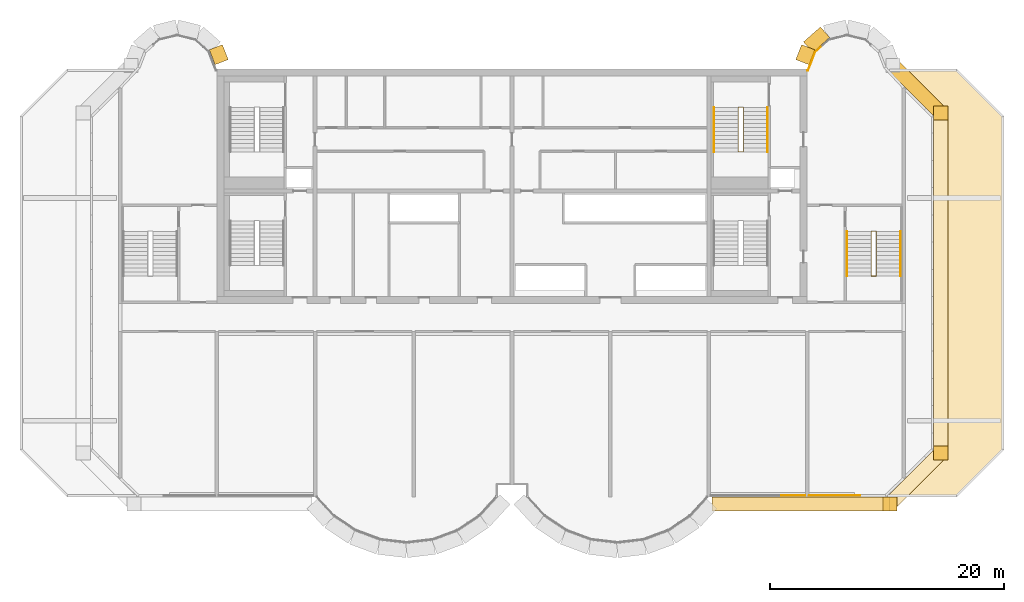
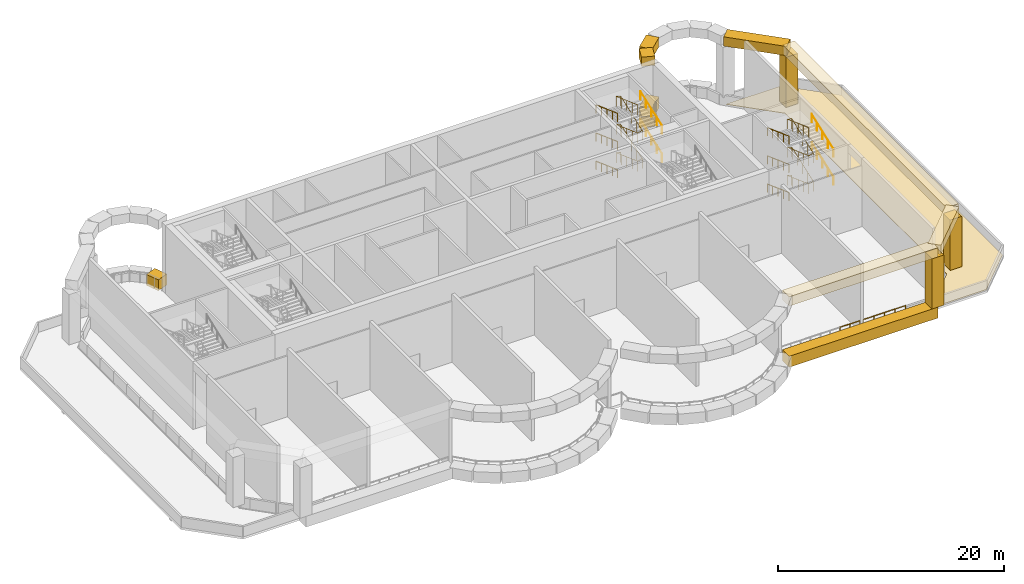
# One storey, part 10 of 11: 16 railings, 14 coverings.
"""IFC4 building model written with IfcOpenShell, lengths in metres."""

from ifc_helpers import new_model, si_unit, direction, frame, origin, origin_2d, place, context, subcontext, project, spatial, polyline, rectangle, circle, outline, extrude, source, transform, mapped, material, layer, layer_set, type_object, element, save


model = new_model("IFC4")

# Units and contexts
model_context = context("Model", 3, precision=1e-05, world=origin(), true_north=direction((0.0, 1.0)))
body_context = subcontext(model_context, "Body", "Model", "MODEL_VIEW")
ifc_project = project(units=[si_unit("LENGTHUNIT", "METRE"), si_unit("AREAUNIT", "SQUARE_METRE"), si_unit("VOLUMEUNIT", "CUBIC_METRE"), si_unit("PLANEANGLEUNIT", "RADIAN"), si_unit("MASSUNIT", "GRAM", prefix="KILO")], contexts=[model_context])

# Site, building, storey
site_placement = place(None, origin())
site = spatial("IfcSite", under=ifc_project, at=site_placement, CompositionType="ELEMENT")
building_placement = place(site_placement, origin())
building = spatial("IfcBuilding", under=site, at=building_placement, Name="Vanashikhar Sky Hotel", CompositionType="ELEMENT")
storey_placement = place(building_placement, frame((0.0, 0.0, 206.39990234375)))
storey = spatial("IfcBuildingStorey", under=building, at=storey_placement, Name="L50", CompositionType="ELEMENT", Elevation=206.39990234375)

# Railings
ifc_material_1 = material(Name="Stainless steel 316", Category="steel")
railing_type_1 = type_object("IfcRailingType", Name="Open edge guard 1200", PredefinedType="GUARDRAIL", material=ifc_material_1)
shared_shape_1 = source(origin(), body_context, "Body", "SweptSolid", [
    extrude(circle(Radius=0.02392578125, at=origin_2d()), frame((0.0, 0.0, 1.17578125), z_axis=(-1.0, 0.0, 0.0), x_axis=(0.0, -1.0, 0.0)), (0.0, 0.0, 1.0), 2.17041015625),
    extrude(circle(Radius=0.02099609375, at=origin_2d()), origin(), (0.0, 0.0, 1.0), 1.15185546875),
    extrude(circle(Radius=0.02099609375, at=origin_2d()), frame((-1.085205078125, 0.0, 0.0)), (0.0, 0.0, 1.0), 1.15185546875),
    extrude(circle(Radius=0.02099609375, at=origin_2d()), frame((-2.17041015625, 0.0, 0.0)), (0.0, 0.0, 1.0), 1.15185546875),
])
for number, where, name in (
    (1, (80.11083984375, 5.60009765625, 0.0), "Open edge guard"),
    (2, (77.9404296875, 5.60009765625, 0.0), "Open edge guard"),
):
    element("IfcRailing", number, at=place(storey_placement, frame(where)), inside=storey, type_object=railing_type_1, Name=name, PredefinedType="GUARDRAIL", context=body_context, shape_type="MappedRepresentation", body=[
        mapped(shared_shape_1, transform((0.0, 0.0, 0.0), scale=1.0)),
    ])
shared_shape_2 = source(origin(), body_context, "Body", "SweptSolid", [
    extrude(circle(Radius=0.02392578125, at=origin_2d()), frame((0.0, 0.0, 1.17578125), z_axis=(-1.0, 0.0, 0.0), x_axis=(0.0, -1.0, 0.0)), (0.0, 0.0, 1.0), 2.014892578125),
    extrude(circle(Radius=0.02099609375, at=origin_2d()), origin(), (0.0, 0.0, 1.0), 1.15185546875),
    extrude(circle(Radius=0.02099609375, at=origin_2d()), frame((-1.00732421875, 0.0, 0.0)), (0.0, 0.0, 1.0), 1.15185546875),
    extrude(circle(Radius=0.02099609375, at=origin_2d()), frame((-2.014892578125, 0.0, 0.0)), (0.0, 0.0, 1.0), 1.15185546875),
])
railing_1_placement = place(storey_placement, frame((75.429931640625, 5.60009765625, 0.0)))
element("IfcRailing", 3, at=railing_1_placement, inside=storey, type_object=railing_type_1, Name="Open edge guard", PredefinedType="GUARDRAIL", context=body_context, shape_type="MappedRepresentation", body=[
    mapped(shared_shape_2, transform((0.0, 0.0, 0.0), scale=1.0)),
])
shared_shape_3 = source(origin(), body_context, "Body", "SweptSolid", [
    extrude(circle(Radius=0.02392578125, at=origin_2d()), frame((0.0, 0.0, 1.17578125), z_axis=(1.0, 0.0, 0.0), x_axis=(0.0, 1.0, 0.0)), (0.0, 0.0, 1.0), 0.048583984375),
    extrude(circle(Radius=0.02392578125, at=origin_2d()), frame((0.048583984375, 0.0, 1.17578125), z_axis=(0.357741668395, 0.933820592348, 0.0), x_axis=(-0.933820592348, 0.357741668395, 0.0)), (0.0, 0.0, 1.0), 1.679443359375),
    extrude(circle(Radius=0.02392578125, at=origin_2d()), frame((0.6494140625, 1.568359375, 1.17578125), z_axis=(0.749683064386, 0.661797025509, 0.0), x_axis=(-0.661797025509, 0.749683064386, 0.0)), (0.0, 0.0, 1.0), 0.64453125),
    extrude(circle(Radius=0.02099609375, at=origin_2d()), origin(), (0.0, 0.0, 1.0), 1.15185546875),
    extrude(circle(Radius=0.02099609375, at=origin_2d()), frame((0.048583984375, 0.0, 0.0)), (0.0, 0.0, 1.0), 1.15185546875),
    extrude(circle(Radius=0.02099609375, at=origin_2d()), frame((0.34912109375, 0.7841796875, 0.0)), (0.0, 0.0, 1.0), 1.15185546875),
    extrude(circle(Radius=0.02099609375, at=origin_2d()), frame((0.6494140625, 1.568359375, 0.0)), (0.0, 0.0, 1.0), 1.15185546875),
    extrude(circle(Radius=0.02099609375, at=origin_2d()), frame((1.132568359375, 1.994873046875, 0.0)), (0.0, 0.0, 1.0), 1.15185546875),
])
railing_2_placement = place(storey_placement, frame((75.6201171875, 41.89990234375, 0.0)))
element("IfcRailing", 4, at=railing_2_placement, inside=storey, type_object=railing_type_1, Name="Open edge guard", PredefinedType="GUARDRAIL", context=body_context, shape_type="MappedRepresentation", body=[
    mapped(shared_shape_3, transform((0.0, 0.0, 0.0), scale=1.0)),
])

# Coverings
ifc_material_2 = material(Name="Concrete M60 dark", Category="concrete")
covering_type_1 = type_object("IfcCoveringType", Name="Wind floor portal frame", PredefinedType="CLADDING", material=ifc_material_2)
shared_shape_4 = source(origin(), body_context, "Body", "SweptSolid", [
    extrude(rectangle(XDim=15.184326171875, YDim=1.199951171875, at=origin_2d()), origin(), (0.0, 0.0, 1.0), 1.0),
])
covering_1_placement = place(storey_placement, frame((75.056396484375, 4.89990234375, 6.320068359375), z_axis=(0.0, 0.0, 1.0), x_axis=(1.0, 0.0, 0.0)))
element("IfcCovering", 5, at=covering_1_placement, inside=storey, type_object=covering_type_1, Name="Portal frame head", PredefinedType="CLADDING", context=body_context, shape_type="MappedRepresentation", body=[
    mapped(shared_shape_4, transform((0.0, 0.0, 0.0), scale=1.0)),
])
shared_shape_5 = source(origin(), body_context, "Body", "SweptSolid", [
    extrude(rectangle(XDim=15.184326171875, YDim=1.199951171875, at=origin_2d()), origin(), (0.0, 0.0, 1.0), 1.179931640625),
])
covering_2_placement = place(storey_placement, frame((75.056396484375, 4.89990234375, -0.27978515625), z_axis=(0.0, 0.0, 1.0), x_axis=(1.0, 0.0, 0.0)))
element("IfcCovering", 6, at=covering_2_placement, inside=storey, type_object=covering_type_1, Name="Portal frame sill", PredefinedType="CLADDING", context=body_context, shape_type="MappedRepresentation", body=[
    mapped(shared_shape_5, transform((0.0, 0.0, 0.0), scale=1.0)),
])
shared_shape_6 = source(origin(), body_context, "Body", "SweptSolid", [
    extrude(rectangle(XDim=6.154052734375, YDim=1.199951171875, at=origin_2d()), origin(), (0.0, 0.0, 1.0), 1.0),
])
covering_3_placement = place(storey_placement, frame((84.82421875, 7.07568359375, 6.320068359375), z_axis=(0.0, 0.0, 1.0), x_axis=(0.707106781187, 0.707106781187, 0.0)))
element("IfcCovering", 7, at=covering_3_placement, inside=storey, type_object=covering_type_1, Name="Portal frame head", PredefinedType="CLADDING", context=body_context, shape_type="MappedRepresentation", body=[
    mapped(shared_shape_6, transform((0.0, 0.0, 0.0), scale=1.0)),
])
shared_shape_7 = source(origin(), body_context, "Body", "SweptSolid", [
    extrude(rectangle(XDim=28.9970703125, YDim=1.199951171875, at=origin_2d()), origin(), (0.0, 0.0, 1.0), 1.0),
])
covering_4_placement = place(storey_placement, frame((87.0, 23.75, 6.320068359375), z_axis=(0.0, 0.0, 1.0), x_axis=(0.0, 1.0, 0.0)))
element("IfcCovering", 8, at=covering_4_placement, inside=storey, type_object=covering_type_1, Name="Portal frame head", PredefinedType="CLADDING", context=body_context, shape_type="MappedRepresentation", body=[
    mapped(shared_shape_7, transform((0.0, 0.0, 0.0), scale=1.0)),
])
shared_shape_8 = source(origin(), body_context, "Body", "SweptSolid", [
    extrude(rectangle(XDim=5.777587890625, YDim=1.199951171875, at=origin_2d()), origin(), (0.0, 0.0, 1.0), 1.0),
])
covering_5_placement = place(storey_placement, frame((84.957275390625, 40.291259765625, 6.320068359375), z_axis=(0.0, 0.0, 1.0), x_axis=(-0.707106781187, 0.707106781187, 0.0)))
element("IfcCovering", 9, at=covering_5_placement, inside=storey, type_object=covering_type_1, Name="Portal frame head", PredefinedType="CLADDING", context=body_context, shape_type="MappedRepresentation", body=[
    mapped(shared_shape_8, transform((0.0, 0.0, 0.0), scale=1.0)),
])
shared_shape_9 = source(origin(), body_context, "Body", "SweptSolid", [
    extrude(rectangle(XDim=1.931640625, YDim=1.199951171875, at=origin_2d()), origin(), (0.0, 0.0, 1.0), 1.0),
])
covering_6_placement = place(storey_placement, frame((76.401611328125, 44.518310546875, 6.320068359375), z_axis=(0.0, 0.0, 1.0), x_axis=(-0.749741606437, -0.661730703214, 0.0)))
element("IfcCovering", 10, at=covering_6_placement, inside=storey, type_object=covering_type_1, Name="Portal frame head", PredefinedType="CLADDING", context=body_context, shape_type="MappedRepresentation", body=[
    mapped(shared_shape_9, transform((0.0, 0.0, 0.0), scale=1.0)),
])
shared_shape_10 = source(origin(), body_context, "Body", "SweptSolid", [
    extrude(rectangle(XDim=1.931640625, YDim=1.199951171875, at=origin_2d()), origin(), (0.0, 0.0, 1.0), 1.179931640625),
])
covering_7_placement = place(storey_placement, frame((76.401611328125, 44.518310546875, -0.27978515625), z_axis=(0.0, 0.0, 1.0), x_axis=(-0.749741606437, -0.661730703214, 0.0)))
element("IfcCovering", 11, at=covering_7_placement, inside=storey, type_object=covering_type_1, Name="Portal frame sill", PredefinedType="CLADDING", context=body_context, shape_type="MappedRepresentation", body=[
    mapped(shared_shape_10, transform((0.0, 0.0, 0.0), scale=1.0)),
])
shared_shape_11 = source(origin(), body_context, "Body", "SweptSolid", [
    extrude(rectangle(XDim=1.3701171875, YDim=1.199951171875, at=origin_2d()), origin(), (0.0, 0.0, 1.0), 1.0),
])
covering_8_placement = place(storey_placement, frame((75.432373046875, 43.239501953125, 6.320068359375), z_axis=(0.0, 0.0, 1.0), x_axis=(-0.357748696787, -0.933817899779, 0.0)))
element("IfcCovering", 12, at=covering_8_placement, inside=storey, type_object=covering_type_1, Name="Portal frame head", PredefinedType="CLADDING", context=body_context, shape_type="MappedRepresentation", body=[
    mapped(shared_shape_11, transform((0.0, 0.0, 0.0), scale=1.0)),
])
shared_shape_12 = source(origin(), body_context, "Body", "SweptSolid", [
    extrude(rectangle(XDim=1.3701171875, YDim=1.199951171875, at=origin_2d()), origin(), (0.0, 0.0, 1.0), 1.179931640625),
])
for number, where, z_axis, x_axis, name in (
    (13, (75.432373046875, 43.239501953125, -0.27978515625), (0.0, 0.0, 1.0), (-0.357748696787, -0.933817899779, 0.0), "Portal frame sill"),
    (14, (25.36767578125, 43.239501953125, -0.27978515625), (0.0, 0.0, 1.0), (-0.357748696787, 0.933817899779, 0.0), "Portal frame sill"),
):
    element("IfcCovering", number, at=place(storey_placement, frame(where, z_axis=z_axis, x_axis=x_axis)), inside=storey, type_object=covering_type_1, Name=name, PredefinedType="CLADDING", context=body_context, shape_type="MappedRepresentation", body=[
        mapped(shared_shape_12, transform((0.0, 0.0, 0.0), scale=1.0)),
    ])
shared_shape_13 = source(origin(), body_context, "Body", "SweptSolid", [
    extrude(rectangle(XDim=1.199951171875, YDim=1.199951171875, at=origin_2d()), origin(), (0.0, 0.0, 1.0), 5.419921875),
])
for number, where, z_axis, x_axis, name in (
    (15, (82.6484375, 4.89990234375, 0.900146484375), (0.0, 0.0, 1.0), (1.0, 0.0, 0.0), "Portal frame jamb"),
    (16, (87.0, 9.25146484375, 0.900146484375), (0.0, 0.0, 1.0), (1.0, 0.0, 0.0), "Portal frame jamb"),
    (17, (87.0, 38.24853515625, 0.900146484375), (0.0, 0.0, 1.0), (1.0, 0.0, 0.0), "Portal frame jamb"),
):
    element("IfcCovering", number, at=place(storey_placement, frame(where, z_axis=z_axis, x_axis=x_axis)), inside=storey, type_object=covering_type_1, Name=name, PredefinedType="CLADDING", context=body_context, shape_type="MappedRepresentation", body=[
        mapped(shared_shape_13, transform((0.0, 0.0, 0.0), scale=1.0)),
    ])
ifc_material_3 = material(Name="Paving stone", Category="masonry")
ifc_layer = layer(ifc_material_3, 0.050048828125)
ifc_layer_set = layer_set([ifc_layer], Name="Paving stone 50")
covering_type_2 = type_object("IfcCoveringType", Name="Paving stone 50", PredefinedType="FLOORING", material=ifc_layer_set)
shared_shape_14 = source(origin(), body_context, "Body", "SweptSolid", [
    extrude(outline(polyline([(82.694580078125, 41.8779296875), (88.349365234375, 41.8779296875), (92.278076171875, 37.94921875), (92.278076171875, 9.55078125), (88.349365234375, 5.6220703125), (82.694580078125, 5.6220703125), (86.52197265625, 9.44921875), (86.52197265625, 38.05078125), (82.694580078125, 41.8779296875)])), origin(), (0.0, 0.0, 1.0), 0.0498046875),
])
covering_9_placement = place(storey_placement, frame((0.0, 0.0, -0.0498046875)))
element("IfcCovering", 18, at=covering_9_placement, inside=storey, type_object=covering_type_2, Name="Terrace paving", PredefinedType="FLOORING", context=body_context, shape_type="MappedRepresentation", body=[
    mapped(shared_shape_14, transform((0.0, 0.0, 0.0), scale=1.0)),
])

# Railings
ifc_material_4 = material(Name="Steel S355", Category="steel")
railing_type_2 = type_object("IfcRailingType", Name="Stair handrail 900", PredefinedType="HANDRAIL", material=ifc_material_4)
shared_shape_15 = source(origin(), body_context, "Body", "SweptSolid", [
    extrude(circle(Radius=0.02392578125, at=origin_2d()), frame((0.0, 0.0, 0.8759765625), z_axis=(0.0, -0.938879565204, 0.344245787255), x_axis=(1.0, 0.0, 0.0)), (0.0, 0.0, 1.0), 4.04736328125),
    extrude(circle(Radius=0.02099609375, at=origin_2d()), origin(), (0.0, 0.0, 1.0), 0.851806640625),
    extrude(circle(Radius=0.02099609375, at=origin_2d()), frame((0.0, -0.949951171875, 0.348388671875)), (0.0, 0.0, 1.0), 0.851806640625),
    extrude(circle(Radius=0.02099609375, at=origin_2d()), frame((0.0, -1.89990234375, 0.69677734375)), (0.0, 0.0, 1.0), 0.851806640625),
    extrude(circle(Radius=0.02099609375, at=origin_2d()), frame((0.0, -2.85009765625, 1.044921875)), (0.0, 0.0, 1.0), 0.851806640625),
    extrude(circle(Radius=0.02099609375, at=origin_2d()), frame((0.0, -3.800048828125, 1.393310546875)), (0.0, 0.0, 1.0), 0.851806640625),
])
for number, where, name in (
    (19, (67.64990234375, 38.75, 0.126708984375), "Exit stair 6 handrail"),
    (20, (67.64990234375, 38.75, 3.166748046875), "Exit stair 6 handrail"),
    (21, (67.64990234375, 38.75, 6.206787109375), "Exit stair 6 handrail"),
):
    element("IfcRailing", number, at=place(storey_placement, frame(where)), inside=storey, type_object=railing_type_2, Name=name, PredefinedType="HANDRAIL", context=body_context, shape_type="MappedRepresentation", body=[
        mapped(shared_shape_15, transform((0.0, 0.0, 0.0), scale=1.0)),
    ])
shared_shape_16 = source(origin(), body_context, "Body", "SweptSolid", [
    extrude(circle(Radius=0.02392578125, at=origin_2d()), frame((0.0, 0.0, 0.8759765625), z_axis=(0.0, 0.938879565204, 0.344245787255), x_axis=(-1.0, 0.0, 0.0)), (0.0, 0.0, 1.0), 4.04736328125),
    extrude(circle(Radius=0.02099609375, at=origin_2d()), origin(), (0.0, 0.0, 1.0), 0.851806640625),
    extrude(circle(Radius=0.02099609375, at=origin_2d()), frame((0.0, 0.949951171875, 0.348388671875)), (0.0, 0.0, 1.0), 0.851806640625),
    extrude(circle(Radius=0.02099609375, at=origin_2d()), frame((0.0, 1.89990234375, 0.69677734375)), (0.0, 0.0, 1.0), 0.851806640625),
    extrude(circle(Radius=0.02099609375, at=origin_2d()), frame((0.0, 2.85009765625, 1.044921875)), (0.0, 0.0, 1.0), 0.851806640625),
    extrude(circle(Radius=0.02099609375, at=origin_2d()), frame((0.0, 3.800048828125, 1.393310546875)), (0.0, 0.0, 1.0), 0.851806640625),
])
for number, where, name in (
    (22, (72.199951171875, 34.949951171875, 1.646728515625), "Exit stair 6 handrail"),
    (23, (72.199951171875, 34.949951171875, 4.686767578125), "Exit stair 6 handrail"),
):
    element("IfcRailing", number, at=place(storey_placement, frame(where)), inside=storey, type_object=railing_type_2, Name=name, PredefinedType="HANDRAIL", context=body_context, shape_type="MappedRepresentation", body=[
        mapped(shared_shape_16, transform((0.0, 0.0, 0.0), scale=1.0)),
    ])
railing_type_3 = type_object("IfcRailingType", Name="Stair guard 1100", PredefinedType="GUARDRAIL", material=ifc_material_4)
shared_shape_17 = source(origin(), body_context, "Body", "SweptSolid", [
    extrude(circle(Radius=0.02392578125, at=origin_2d()), frame((0.0, 0.0, 1.076171875), z_axis=(-0.962561556651, 0.0, 0.271063183886), x_axis=(0.0, -1.0, 0.0)), (0.0, 0.0, 1.0), 0.467529296875),
    extrude(circle(Radius=0.02392578125, at=origin_2d()), frame((-0.449951171875, 0.0, 1.20263671875), z_axis=(0.0, -0.938879565204, 0.344245787255), x_axis=(1.0, 0.0, 0.0)), (0.0, 0.0, 1.0), 4.04736328125),
    extrude(circle(Radius=0.02392578125, at=origin_2d()), frame((-0.449951171875, -3.800048828125, 2.59619140625), z_axis=(0.962561556651, 0.0, 0.271063183886), x_axis=(0.0, 1.0, 0.0)), (0.0, 0.0, 1.0), 0.467529296875),
    extrude(circle(Radius=0.02392578125, at=origin_2d()), frame((0.0, -3.800048828125, 2.72265625), z_axis=(0.0, 0.938879565204, 0.344245787255), x_axis=(-1.0, 0.0, 0.0)), (0.0, 0.0, 1.0), 4.04736328125),
    extrude(circle(Radius=0.02392578125, at=origin_2d()), frame((0.0, 0.0, 4.1162109375), z_axis=(-0.962561556651, 0.0, 0.271063183886), x_axis=(0.0, -1.0, 0.0)), (0.0, 0.0, 1.0), 0.467529296875),
    extrude(circle(Radius=0.02392578125, at=origin_2d()), frame((-0.449951171875, 0.0, 4.24267578125), z_axis=(0.0, -0.938879565204, 0.344245787255), x_axis=(1.0, 0.0, 0.0)), (0.0, 0.0, 1.0), 4.04736328125),
    extrude(circle(Radius=0.02392578125, at=origin_2d()), frame((-0.449951171875, -3.800048828125, 5.63623046875), z_axis=(0.962561556651, 0.0, 0.271063183886), x_axis=(0.0, 1.0, 0.0)), (0.0, 0.0, 1.0), 0.467529296875),
    extrude(circle(Radius=0.02392578125, at=origin_2d()), frame((0.0, -3.800048828125, 5.7626953125), z_axis=(0.0, 0.938879565204, 0.344245787255), x_axis=(-1.0, 0.0, 0.0)), (0.0, 0.0, 1.0), 4.04736328125),
    extrude(circle(Radius=0.02392578125, at=origin_2d()), frame((0.0, 0.0, 7.15625), z_axis=(-0.962561556651, 0.0, 0.271063183886), x_axis=(0.0, -1.0, 0.0)), (0.0, 0.0, 1.0), 0.467529296875),
    extrude(circle(Radius=0.02392578125, at=origin_2d()), frame((-0.449951171875, 0.0, 7.28271484375), z_axis=(0.0, -0.938879565204, 0.344245787255), x_axis=(1.0, 0.0, 0.0)), (0.0, 0.0, 1.0), 4.04736328125),
    extrude(circle(Radius=0.02099609375, at=origin_2d()), origin(), (0.0, 0.0, 1.0), 1.052001953125),
    extrude(circle(Radius=0.02099609375, at=origin_2d()), frame((-0.449951171875, 0.0, 0.126708984375)), (0.0, 0.0, 1.0), 1.052001953125),
    extrude(circle(Radius=0.02099609375, at=origin_2d()), frame((-0.449951171875, -0.949951171875, 0.47509765625)), (0.0, 0.0, 1.0), 1.052001953125),
    extrude(circle(Radius=0.02099609375, at=origin_2d()), frame((-0.449951171875, -1.89990234375, 0.8232421875)), (0.0, 0.0, 1.0), 1.052001953125),
    extrude(circle(Radius=0.02099609375, at=origin_2d()), frame((-0.449951171875, -2.85009765625, 1.171630859375)), (0.0, 0.0, 1.0), 1.052001953125),
    extrude(circle(Radius=0.02099609375, at=origin_2d()), frame((-0.449951171875, -3.800048828125, 1.52001953125)), (0.0, 0.0, 1.0), 1.052001953125),
    extrude(circle(Radius=0.02099609375, at=origin_2d()), frame((0.0, -3.800048828125, 1.646728515625)), (0.0, 0.0, 1.0), 1.052001953125),
    extrude(circle(Radius=0.02099609375, at=origin_2d()), frame((0.0, -2.85009765625, 1.9951171875)), (0.0, 0.0, 1.0), 1.052001953125),
    extrude(circle(Radius=0.02099609375, at=origin_2d()), frame((0.0, -1.89990234375, 2.34326171875)), (0.0, 0.0, 1.0), 1.052001953125),
    extrude(circle(Radius=0.02099609375, at=origin_2d()), frame((0.0, -0.949951171875, 2.691650390625)), (0.0, 0.0, 1.0), 1.052001953125),
    extrude(circle(Radius=0.02099609375, at=origin_2d()), frame((0.0, 0.0, 3.0400390625)), (0.0, 0.0, 1.0), 1.052001953125),
    extrude(circle(Radius=0.02099609375, at=origin_2d()), frame((-0.449951171875, 0.0, 3.166748046875)), (0.0, 0.0, 1.0), 1.052001953125),
    extrude(circle(Radius=0.02099609375, at=origin_2d()), frame((-0.449951171875, -0.949951171875, 3.51513671875)), (0.0, 0.0, 1.0), 1.052001953125),
    extrude(circle(Radius=0.02099609375, at=origin_2d()), frame((-0.449951171875, -1.89990234375, 3.86328125)), (0.0, 0.0, 1.0), 1.052001953125),
    extrude(circle(Radius=0.02099609375, at=origin_2d()), frame((-0.449951171875, -2.85009765625, 4.211669921875)), (0.0, 0.0, 1.0), 1.052001953125),
    extrude(circle(Radius=0.02099609375, at=origin_2d()), frame((-0.449951171875, -3.800048828125, 4.56005859375)), (0.0, 0.0, 1.0), 1.052001953125),
    extrude(circle(Radius=0.02099609375, at=origin_2d()), frame((0.0, -3.800048828125, 4.686767578125)), (0.0, 0.0, 1.0), 1.052001953125),
    extrude(circle(Radius=0.02099609375, at=origin_2d()), frame((0.0, -2.85009765625, 5.03515625)), (0.0, 0.0, 1.0), 1.052001953125),
    extrude(circle(Radius=0.02099609375, at=origin_2d()), frame((0.0, -1.89990234375, 5.38330078125)), (0.0, 0.0, 1.0), 1.052001953125),
    extrude(circle(Radius=0.02099609375, at=origin_2d()), frame((0.0, -0.949951171875, 5.731689453125)), (0.0, 0.0, 1.0), 1.052001953125),
    extrude(circle(Radius=0.02099609375, at=origin_2d()), frame((0.0, 0.0, 6.080078125)), (0.0, 0.0, 1.0), 1.052001953125),
    extrude(circle(Radius=0.02099609375, at=origin_2d()), frame((-0.449951171875, 0.0, 6.206787109375)), (0.0, 0.0, 1.0), 1.052001953125),
    extrude(circle(Radius=0.02099609375, at=origin_2d()), frame((-0.449951171875, -0.949951171875, 6.55517578125)), (0.0, 0.0, 1.0), 1.052001953125),
    extrude(circle(Radius=0.02099609375, at=origin_2d()), frame((-0.449951171875, -1.89990234375, 6.9033203125)), (0.0, 0.0, 1.0), 1.052001953125),
    extrude(circle(Radius=0.02099609375, at=origin_2d()), frame((-0.449951171875, -2.85009765625, 7.251708984375)), (0.0, 0.0, 1.0), 1.052001953125),
    extrude(circle(Radius=0.02099609375, at=origin_2d()), frame((-0.449951171875, -3.800048828125, 7.60009765625)), (0.0, 0.0, 1.0), 1.052001953125),
])
railing_3_placement = place(storey_placement, frame((70.14990234375, 38.75, 0.0)))
element("IfcRailing", 24, at=railing_3_placement, inside=storey, type_object=railing_type_3, Name="Exit stair 6 guard", PredefinedType="GUARDRAIL", context=body_context, shape_type="MappedRepresentation", body=[
    mapped(shared_shape_17, transform((0.0, 0.0, 0.0), scale=1.0)),
])
shared_shape_18 = source(origin(), body_context, "Body", "SweptSolid", [
    extrude(circle(Radius=0.02392578125, at=origin_2d()), frame((0.0, 0.0, 1.076171875), z_axis=(-0.962561556651, 0.0, 0.271063183886), x_axis=(0.0, -1.0, 0.0)), (0.0, 0.0, 1.0), 0.467529296875),
    extrude(circle(Radius=0.02392578125, at=origin_2d()), frame((-0.449951171875, 0.0, 1.20263671875), z_axis=(0.0, -0.938872416375, 0.344265284005), x_axis=(1.0, 0.0, 0.0)), (0.0, 0.0, 1.0), 4.047119140625),
    extrude(circle(Radius=0.02392578125, at=origin_2d()), frame((-0.449951171875, -3.7998046875, 2.59619140625), z_axis=(0.962561556651, 0.0, 0.271063183886), x_axis=(0.0, 1.0, 0.0)), (0.0, 0.0, 1.0), 0.467529296875),
    extrude(circle(Radius=0.02392578125, at=origin_2d()), frame((0.0, -3.7998046875, 2.72265625), z_axis=(0.0, 0.938872416375, 0.344265284005), x_axis=(-1.0, 0.0, 0.0)), (0.0, 0.0, 1.0), 4.047119140625),
    extrude(circle(Radius=0.02392578125, at=origin_2d()), frame((0.0, 0.0, 4.1162109375), z_axis=(-0.962561556651, 0.0, 0.271063183886), x_axis=(0.0, -1.0, 0.0)), (0.0, 0.0, 1.0), 0.467529296875),
    extrude(circle(Radius=0.02392578125, at=origin_2d()), frame((-0.449951171875, 0.0, 4.24267578125), z_axis=(0.0, -0.938872416375, 0.344265284005), x_axis=(1.0, 0.0, 0.0)), (0.0, 0.0, 1.0), 4.047119140625),
    extrude(circle(Radius=0.02392578125, at=origin_2d()), frame((-0.449951171875, -3.7998046875, 5.63623046875), z_axis=(0.962561556651, 0.0, 0.271063183886), x_axis=(0.0, 1.0, 0.0)), (0.0, 0.0, 1.0), 0.467529296875),
    extrude(circle(Radius=0.02392578125, at=origin_2d()), frame((0.0, -3.7998046875, 5.7626953125), z_axis=(0.0, 0.938872416375, 0.344265284005), x_axis=(-1.0, 0.0, 0.0)), (0.0, 0.0, 1.0), 4.047119140625),
    extrude(circle(Radius=0.02392578125, at=origin_2d()), frame((0.0, 0.0, 7.15625), z_axis=(-0.962561556651, 0.0, 0.271063183886), x_axis=(0.0, -1.0, 0.0)), (0.0, 0.0, 1.0), 0.467529296875),
    extrude(circle(Radius=0.02392578125, at=origin_2d()), frame((-0.449951171875, 0.0, 7.28271484375), z_axis=(0.0, -0.938872416375, 0.344265284005), x_axis=(1.0, 0.0, 0.0)), (0.0, 0.0, 1.0), 4.047119140625),
    extrude(circle(Radius=0.02099609375, at=origin_2d()), origin(), (0.0, 0.0, 1.0), 1.052001953125),
    extrude(circle(Radius=0.02099609375, at=origin_2d()), frame((-0.449951171875, 0.0, 0.126708984375)), (0.0, 0.0, 1.0), 1.052001953125),
    extrude(circle(Radius=0.02099609375, at=origin_2d()), frame((-0.449951171875, -0.949951171875, 0.47509765625)), (0.0, 0.0, 1.0), 1.052001953125),
    extrude(circle(Radius=0.02099609375, at=origin_2d()), frame((-0.449951171875, -1.89990234375, 0.8232421875)), (0.0, 0.0, 1.0), 1.052001953125),
    extrude(circle(Radius=0.02099609375, at=origin_2d()), frame((-0.449951171875, -2.849853515625, 1.171630859375)), (0.0, 0.0, 1.0), 1.052001953125),
    extrude(circle(Radius=0.02099609375, at=origin_2d()), frame((-0.449951171875, -3.7998046875, 1.52001953125)), (0.0, 0.0, 1.0), 1.052001953125),
    extrude(circle(Radius=0.02099609375, at=origin_2d()), frame((0.0, -3.7998046875, 1.646728515625)), (0.0, 0.0, 1.0), 1.052001953125),
    extrude(circle(Radius=0.02099609375, at=origin_2d()), frame((0.0, -2.849853515625, 1.9951171875)), (0.0, 0.0, 1.0), 1.052001953125),
    extrude(circle(Radius=0.02099609375, at=origin_2d()), frame((0.0, -1.89990234375, 2.34326171875)), (0.0, 0.0, 1.0), 1.052001953125),
    extrude(circle(Radius=0.02099609375, at=origin_2d()), frame((0.0, -0.949951171875, 2.691650390625)), (0.0, 0.0, 1.0), 1.052001953125),
    extrude(circle(Radius=0.02099609375, at=origin_2d()), frame((0.0, 0.0, 3.0400390625)), (0.0, 0.0, 1.0), 1.052001953125),
    extrude(circle(Radius=0.02099609375, at=origin_2d()), frame((-0.449951171875, 0.0, 3.166748046875)), (0.0, 0.0, 1.0), 1.052001953125),
    extrude(circle(Radius=0.02099609375, at=origin_2d()), frame((-0.449951171875, -0.949951171875, 3.51513671875)), (0.0, 0.0, 1.0), 1.052001953125),
    extrude(circle(Radius=0.02099609375, at=origin_2d()), frame((-0.449951171875, -1.89990234375, 3.86328125)), (0.0, 0.0, 1.0), 1.052001953125),
    extrude(circle(Radius=0.02099609375, at=origin_2d()), frame((-0.449951171875, -2.849853515625, 4.211669921875)), (0.0, 0.0, 1.0), 1.052001953125),
    extrude(circle(Radius=0.02099609375, at=origin_2d()), frame((-0.449951171875, -3.7998046875, 4.56005859375)), (0.0, 0.0, 1.0), 1.052001953125),
    extrude(circle(Radius=0.02099609375, at=origin_2d()), frame((0.0, -3.7998046875, 4.686767578125)), (0.0, 0.0, 1.0), 1.052001953125),
    extrude(circle(Radius=0.02099609375, at=origin_2d()), frame((0.0, -2.849853515625, 5.03515625)), (0.0, 0.0, 1.0), 1.052001953125),
    extrude(circle(Radius=0.02099609375, at=origin_2d()), frame((0.0, -1.89990234375, 5.38330078125)), (0.0, 0.0, 1.0), 1.052001953125),
    extrude(circle(Radius=0.02099609375, at=origin_2d()), frame((0.0, -0.949951171875, 5.731689453125)), (0.0, 0.0, 1.0), 1.052001953125),
    extrude(circle(Radius=0.02099609375, at=origin_2d()), frame((0.0, 0.0, 6.080078125)), (0.0, 0.0, 1.0), 1.052001953125),
    extrude(circle(Radius=0.02099609375, at=origin_2d()), frame((-0.449951171875, 0.0, 6.206787109375)), (0.0, 0.0, 1.0), 1.052001953125),
    extrude(circle(Radius=0.02099609375, at=origin_2d()), frame((-0.449951171875, -0.949951171875, 6.55517578125)), (0.0, 0.0, 1.0), 1.052001953125),
    extrude(circle(Radius=0.02099609375, at=origin_2d()), frame((-0.449951171875, -1.89990234375, 6.9033203125)), (0.0, 0.0, 1.0), 1.052001953125),
    extrude(circle(Radius=0.02099609375, at=origin_2d()), frame((-0.449951171875, -2.849853515625, 7.251708984375)), (0.0, 0.0, 1.0), 1.052001953125),
    extrude(circle(Radius=0.02099609375, at=origin_2d()), frame((-0.449951171875, -3.7998046875, 7.60009765625)), (0.0, 0.0, 1.0), 1.052001953125),
])
railing_4_placement = place(storey_placement, frame((81.5, 28.14990234375, 0.0)))
element("IfcRailing", 25, at=railing_4_placement, inside=storey, type_object=railing_type_3, Name="Exit stair 4 guard", PredefinedType="GUARDRAIL", context=body_context, shape_type="MappedRepresentation", body=[
    mapped(shared_shape_18, transform((0.0, 0.0, 0.0), scale=1.0)),
])
shared_shape_19 = source(origin(), body_context, "Body", "SweptSolid", [
    extrude(circle(Radius=0.02392578125, at=origin_2d()), frame((0.0, 0.0, 0.8759765625), z_axis=(0.0, -0.938872416375, 0.344265284005), x_axis=(1.0, 0.0, 0.0)), (0.0, 0.0, 1.0), 4.047119140625),
    extrude(circle(Radius=0.02099609375, at=origin_2d()), origin(), (0.0, 0.0, 1.0), 0.851806640625),
    extrude(circle(Radius=0.02099609375, at=origin_2d()), frame((0.0, -0.949951171875, 0.348388671875)), (0.0, 0.0, 1.0), 0.851806640625),
    extrude(circle(Radius=0.02099609375, at=origin_2d()), frame((0.0, -1.89990234375, 0.69677734375)), (0.0, 0.0, 1.0), 0.851806640625),
    extrude(circle(Radius=0.02099609375, at=origin_2d()), frame((0.0, -2.849853515625, 1.044921875)), (0.0, 0.0, 1.0), 0.851806640625),
    extrude(circle(Radius=0.02099609375, at=origin_2d()), frame((0.0, -3.7998046875, 1.393310546875)), (0.0, 0.0, 1.0), 0.851806640625),
])
for number, where, name in (
    (26, (79.0, 28.14990234375, 0.126708984375), "Exit stair 4 handrail"),
    (27, (79.0, 28.14990234375, 3.166748046875), "Exit stair 4 handrail"),
    (28, (79.0, 28.14990234375, 6.206787109375), "Exit stair 4 handrail"),
):
    element("IfcRailing", number, at=place(storey_placement, frame(where)), inside=storey, type_object=railing_type_2, Name=name, PredefinedType="HANDRAIL", context=body_context, shape_type="MappedRepresentation", body=[
        mapped(shared_shape_19, transform((0.0, 0.0, 0.0), scale=1.0)),
    ])
shared_shape_20 = source(origin(), body_context, "Body", "SweptSolid", [
    extrude(circle(Radius=0.02392578125, at=origin_2d()), frame((0.0, 0.0, 0.8759765625), z_axis=(0.0, 0.938872416375, 0.344265284005), x_axis=(-1.0, 0.0, 0.0)), (0.0, 0.0, 1.0), 4.047119140625),
    extrude(circle(Radius=0.02099609375, at=origin_2d()), origin(), (0.0, 0.0, 1.0), 0.851806640625),
    extrude(circle(Radius=0.02099609375, at=origin_2d()), frame((0.0, 0.949951171875, 0.348388671875)), (0.0, 0.0, 1.0), 0.851806640625),
    extrude(circle(Radius=0.02099609375, at=origin_2d()), frame((0.0, 1.89990234375, 0.69677734375)), (0.0, 0.0, 1.0), 0.851806640625),
    extrude(circle(Radius=0.02099609375, at=origin_2d()), frame((0.0, 2.849853515625, 1.044921875)), (0.0, 0.0, 1.0), 0.851806640625),
    extrude(circle(Radius=0.02099609375, at=origin_2d()), frame((0.0, 3.7998046875, 1.393310546875)), (0.0, 0.0, 1.0), 0.851806640625),
])
for number, where, name in (
    (29, (83.550048828125, 24.35009765625, 1.646728515625), "Exit stair 4 handrail"),
    (30, (83.550048828125, 24.35009765625, 4.686767578125), "Exit stair 4 handrail"),
):
    element("IfcRailing", number, at=place(storey_placement, frame(where)), inside=storey, type_object=railing_type_2, Name=name, PredefinedType="HANDRAIL", context=body_context, shape_type="MappedRepresentation", body=[
        mapped(shared_shape_20, transform((0.0, 0.0, 0.0), scale=1.0)),
    ])

save(model, "model.ifc")
